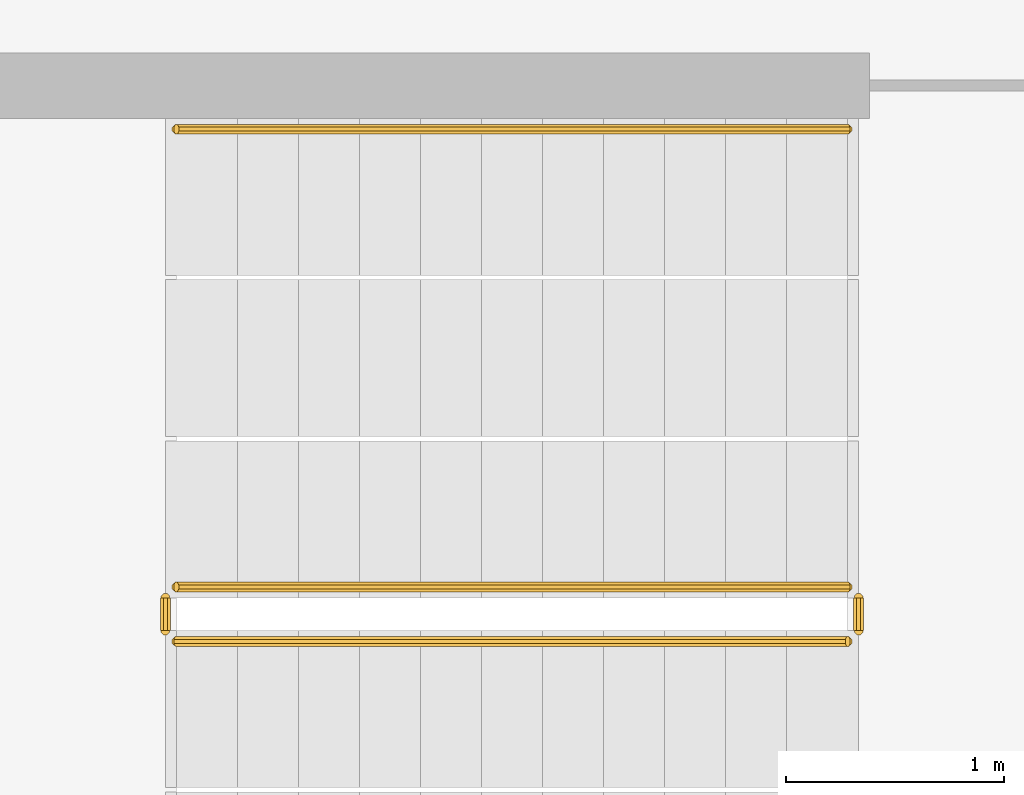
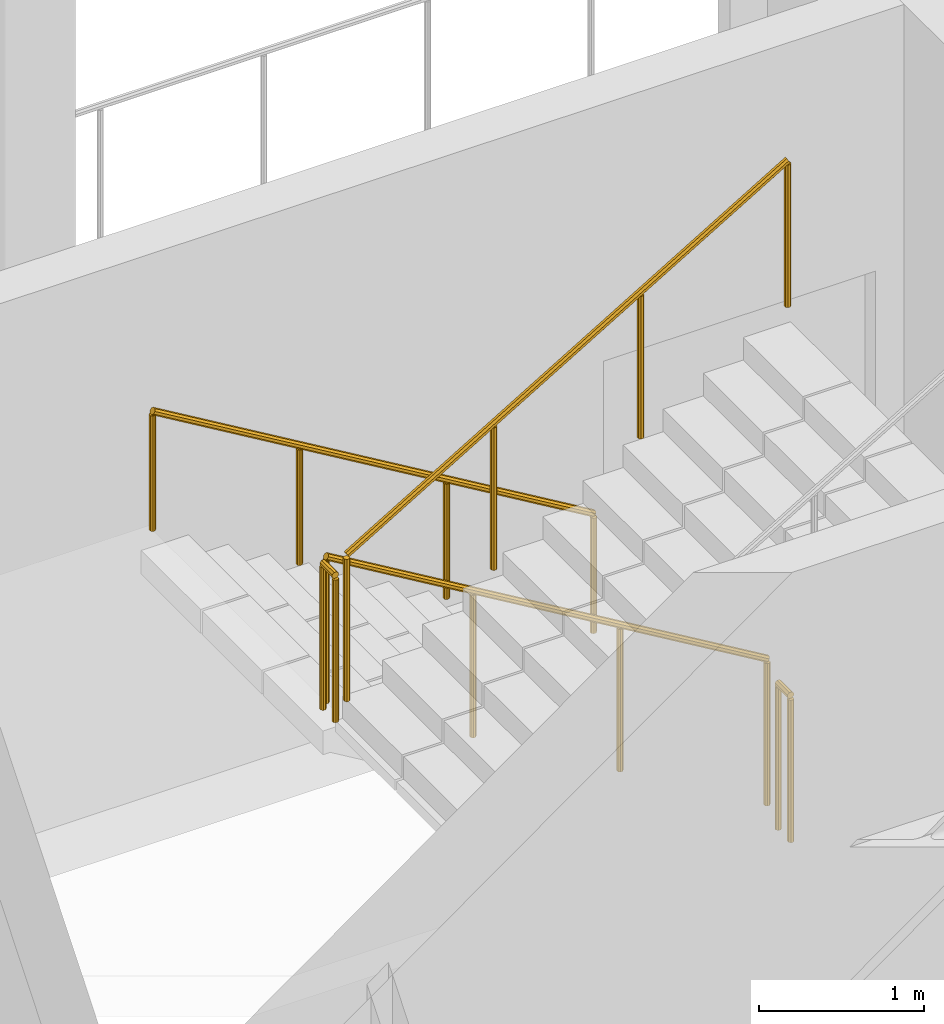
# One storey, part 20 of 28: 5 railings.
"""IFC4 building model written with IfcOpenShell, lengths in metres."""

from ifc_helpers import new_model, si_unit, direction, frame, origin, place, context, subcontext, project, spatial, polyline, outline, extrude, material, type_object, element, save


model = new_model("IFC4")

# Units and contexts
model_context = context("Model", 3, precision=1e-05, world=origin(), true_north=direction((0.0, 1.0)))
body_context = subcontext(model_context, "Body", "Model", "MODEL_VIEW")
ifc_project = project(units=[si_unit("LENGTHUNIT", "METRE"), si_unit("AREAUNIT", "SQUARE_METRE"), si_unit("VOLUMEUNIT", "CUBIC_METRE"), si_unit("PLANEANGLEUNIT", "RADIAN"), si_unit("MASSUNIT", "GRAM", prefix="KILO")], contexts=[model_context])

# Site, building, storey
site_placement = place(None, origin())
site = spatial("IfcSite", under=ifc_project, at=site_placement, CompositionType="ELEMENT")
building_placement = place(site_placement, origin())
building = spatial("IfcBuilding", under=site, at=building_placement, Name="Cormorant Relay Tower", CompositionType="ELEMENT")
storey_placement = place(building_placement, frame((0.0, 0.0, 170.199951171875)))
storey = spatial("IfcBuildingStorey", under=building, at=storey_placement, Name="L36", CompositionType="ELEMENT", Elevation=170.199951171875)

# Railings
ifc_material_1 = material(Name="Steel ASTM A572 Grade 50 (Fy 345 MPa)", Category="steel")
railing_type_1 = type_object("IfcRailingType", Name="Stair guard 1100", PredefinedType="GUARDRAIL", material=ifc_material_1)
railing_1_placement = place(storey_placement, frame((1.60009765625, -18.27490234375, 0.166748046875)))
element("IfcRailing", 1, at=railing_1_placement, inside=storey, type_object=railing_type_1, Name="L36 RK1 stair guard 1", PredefinedType="GUARDRAIL", context=body_context, shape_type="SweptSolid", body=[
    extrude(outline(polyline([(0.022216796875, 0.00927734375), (0.00927734375, 0.022216796875), (-0.00927734375, 0.022216796875), (-0.022216796875, 0.00927734375), (-0.022216796875, -0.00927734375), (-0.00927734375, -0.022216796875), (0.00927734375, -0.022216796875), (0.022216796875, -0.00927734375), (0.022216796875, 0.00927734375)])), frame((0.0, 0.0, 1.076171875), z_axis=(-0.859308565015, 0.0, 0.511457515432), x_axis=(0.0, -1.0, 0.0)), (0.0, 0.0, 1.0), 3.58447265625),
    extrude(outline(polyline([(0.019287109375, 0.008056640625), (0.008056640625, 0.019287109375), (-0.008056640625, 0.019287109375), (-0.019287109375, 0.008056640625), (-0.019287109375, -0.008056640625), (-0.008056640625, -0.019287109375), (0.008056640625, -0.019287109375), (0.019287109375, -0.008056640625), (0.019287109375, 0.008056640625)])), origin(), (0.0, 0.0, 1.0), 1.052001953125),
    extrude(outline(polyline([(0.019287109375, 0.008056640625), (0.008056640625, 0.019287109375), (-0.008056640625, 0.019287109375), (-0.019287109375, 0.008056640625), (-0.019287109375, -0.008056640625), (-0.008056640625, -0.019287109375), (0.008056640625, -0.019287109375), (0.019287109375, -0.008056640625), (0.019287109375, 0.008056640625)])), frame((-1.026611328125, 0.0, 0.611083984375)), (0.0, 0.0, 1.0), 1.052001953125),
    extrude(outline(polyline([(0.019287109375, 0.008056640625), (0.008056640625, 0.019287109375), (-0.008056640625, 0.019287109375), (-0.019287109375, 0.008056640625), (-0.019287109375, -0.008056640625), (-0.008056640625, -0.019287109375), (0.008056640625, -0.019287109375), (0.019287109375, -0.008056640625), (0.019287109375, 0.008056640625)])), frame((-2.053466796875, 0.0, 1.22216796875)), (0.0, 0.0, 1.0), 1.052001953125),
    extrude(outline(polyline([(0.019287109375, 0.008056640625), (0.008056640625, 0.019287109375), (-0.008056640625, 0.019287109375), (-0.019287109375, 0.008056640625), (-0.019287109375, -0.008056640625), (-0.008056640625, -0.019287109375), (0.008056640625, -0.019287109375), (0.019287109375, -0.008056640625), (0.019287109375, 0.008056640625)])), frame((-3.080078125, 0.0, 1.833251953125)), (0.0, 0.0, 1.0), 1.052001953125),
])
railing_2_placement = place(storey_placement, frame((-1.530029296875, -18.324951171875, 2.0)))
element("IfcRailing", 2, at=railing_2_placement, inside=storey, type_object=railing_type_1, Name="L36 RK1 stair guard 2", PredefinedType="GUARDRAIL", context=body_context, shape_type="SweptSolid", body=[
    extrude(outline(polyline([(0.022216796875, 0.00927734375), (0.00927734375, 0.022216796875), (-0.00927734375, 0.022216796875), (-0.022216796875, 0.00927734375), (-0.022216796875, -0.00927734375), (-0.00927734375, -0.022216796875), (0.00927734375, -0.022216796875), (0.022216796875, -0.00927734375), (0.022216796875, 0.00927734375)])), frame((0.0, 0.0, 1.076171875), z_axis=(0.0, -1.0, 0.0), x_axis=(1.0, 0.0, 0.0)), (0.0, 0.0, 1.0), 0.150146484375),
    extrude(outline(polyline([(0.019287109375, 0.008056640625), (0.008056640625, 0.019287109375), (-0.008056640625, 0.019287109375), (-0.019287109375, 0.008056640625), (-0.019287109375, -0.008056640625), (-0.008056640625, -0.019287109375), (0.008056640625, -0.019287109375), (0.019287109375, -0.008056640625), (0.019287109375, 0.008056640625)])), origin(), (0.0, 0.0, 1.0), 1.052001953125),
    extrude(outline(polyline([(0.019287109375, 0.008056640625), (0.008056640625, 0.019287109375), (-0.008056640625, 0.019287109375), (-0.019287109375, 0.008056640625), (-0.019287109375, -0.008056640625), (-0.008056640625, -0.019287109375), (0.008056640625, -0.019287109375), (0.019287109375, -0.008056640625), (0.019287109375, 0.008056640625)])), frame((0.0, -0.150146484375, 0.0)), (0.0, 0.0, 1.0), 1.052001953125),
])
railing_3_placement = place(storey_placement, frame((-1.47998046875, -18.52490234375, 2.166748046875)))
element("IfcRailing", 3, at=railing_3_placement, inside=storey, type_object=railing_type_1, Name="L36 RK1 stair guard 3", PredefinedType="GUARDRAIL", context=body_context, shape_type="SweptSolid", body=[
    extrude(outline(polyline([(0.022216796875, 0.00927734375), (0.00927734375, 0.022216796875), (-0.00927734375, 0.022216796875), (-0.022216796875, 0.00927734375), (-0.022216796875, -0.00927734375), (-0.00927734375, -0.022216796875), (0.00927734375, -0.022216796875), (0.022216796875, -0.00927734375), (0.022216796875, 0.00927734375)])), frame((0.0, 0.0, 1.076171875), z_axis=(0.859308565015, 0.0, 0.511457515432), x_axis=(0.0, 1.0, 0.0)), (0.0, 0.0, 1.0), 3.58447265625),
    extrude(outline(polyline([(0.019287109375, 0.008056640625), (0.008056640625, 0.019287109375), (-0.008056640625, 0.019287109375), (-0.019287109375, 0.008056640625), (-0.019287109375, -0.008056640625), (-0.008056640625, -0.019287109375), (0.008056640625, -0.019287109375), (0.019287109375, -0.008056640625), (0.019287109375, 0.008056640625)])), origin(), (0.0, 0.0, 1.0), 1.052001953125),
    extrude(outline(polyline([(0.019287109375, 0.008056640625), (0.008056640625, 0.019287109375), (-0.008056640625, 0.019287109375), (-0.019287109375, 0.008056640625), (-0.019287109375, -0.008056640625), (-0.008056640625, -0.019287109375), (0.008056640625, -0.019287109375), (0.019287109375, -0.008056640625), (0.019287109375, 0.008056640625)])), frame((1.026611328125, 0.0, 0.611083984375)), (0.0, 0.0, 1.0), 1.052001953125),
    extrude(outline(polyline([(0.019287109375, 0.008056640625), (0.008056640625, 0.019287109375), (-0.008056640625, 0.019287109375), (-0.019287109375, 0.008056640625), (-0.019287109375, -0.008056640625), (-0.008056640625, -0.019287109375), (0.008056640625, -0.019287109375), (0.019287109375, -0.008056640625), (0.019287109375, 0.008056640625)])), frame((2.053466796875, 0.0, 1.22216796875)), (0.0, 0.0, 1.0), 1.052001953125),
    extrude(outline(polyline([(0.019287109375, 0.008056640625), (0.008056640625, 0.019287109375), (-0.008056640625, 0.019287109375), (-0.019287109375, 0.008056640625), (-0.019287109375, -0.008056640625), (-0.008056640625, -0.019287109375), (0.008056640625, -0.019287109375), (0.019287109375, -0.008056640625), (0.019287109375, 0.008056640625)])), frame((3.080078125, 0.0, 1.833251953125)), (0.0, 0.0, 1.0), 1.052001953125),
])
railing_4_placement = place(storey_placement, frame((1.64990234375, -18.324951171875, 0.0)))
element("IfcRailing", 4, at=railing_4_placement, inside=storey, type_object=railing_type_1, Name="L36 RK1 stair guard 4", PredefinedType="GUARDRAIL", context=body_context, shape_type="SweptSolid", body=[
    extrude(outline(polyline([(0.022216796875, 0.00927734375), (0.00927734375, 0.022216796875), (-0.00927734375, 0.022216796875), (-0.022216796875, 0.00927734375), (-0.022216796875, -0.00927734375), (-0.00927734375, -0.022216796875), (0.00927734375, -0.022216796875), (0.022216796875, -0.00927734375), (0.022216796875, 0.00927734375)])), frame((0.0, 0.0, 1.076171875), z_axis=(0.0, -1.0, 0.0), x_axis=(1.0, 0.0, 0.0)), (0.0, 0.0, 1.0), 0.150146484375),
    extrude(outline(polyline([(0.019287109375, 0.008056640625), (0.008056640625, 0.019287109375), (-0.008056640625, 0.019287109375), (-0.019287109375, 0.008056640625), (-0.019287109375, -0.008056640625), (-0.008056640625, -0.019287109375), (0.008056640625, -0.019287109375), (0.019287109375, -0.008056640625), (0.019287109375, 0.008056640625)])), origin(), (0.0, 0.0, 1.0), 1.052001953125),
    extrude(outline(polyline([(0.019287109375, 0.008056640625), (0.008056640625, 0.019287109375), (-0.008056640625, 0.019287109375), (-0.019287109375, 0.008056640625), (-0.019287109375, -0.008056640625), (-0.008056640625, -0.019287109375), (0.008056640625, -0.019287109375), (0.019287109375, -0.008056640625), (0.019287109375, 0.008056640625)])), frame((0.0, -0.150146484375, 0.0)), (0.0, 0.0, 1.0), 1.052001953125),
])
ifc_material_2 = material(Name="Steel ASTM A572 Grade 50 (Fy 345 MPa)", Category="steel")
railing_type_2 = type_object("IfcRailingType", Name="Stair handrail 900", PredefinedType="HANDRAIL", material=ifc_material_2)
railing_5_placement = place(storey_placement, frame((1.60009765625, -16.175048828125, 0.166748046875)))
element("IfcRailing", 5, at=railing_5_placement, inside=storey, type_object=railing_type_2, Name="L36 RK1 stair handrail 1", PredefinedType="HANDRAIL", context=body_context, shape_type="SweptSolid", body=[
    extrude(outline(polyline([(0.022216796875, 0.00927734375), (0.00927734375, 0.022216796875), (-0.00927734375, 0.022216796875), (-0.022216796875, 0.00927734375), (-0.022216796875, -0.00927734375), (-0.00927734375, -0.022216796875), (0.00927734375, -0.022216796875), (0.022216796875, -0.00927734375), (0.022216796875, 0.00927734375)])), frame((0.0, 0.0, 0.8759765625), z_axis=(-0.859308565015, 0.0, 0.511457515432), x_axis=(0.0, -1.0, 0.0)), (0.0, 0.0, 1.0), 3.58447265625),
    extrude(outline(polyline([(0.019287109375, 0.008056640625), (0.008056640625, 0.019287109375), (-0.008056640625, 0.019287109375), (-0.019287109375, 0.008056640625), (-0.019287109375, -0.008056640625), (-0.008056640625, -0.019287109375), (0.008056640625, -0.019287109375), (0.019287109375, -0.008056640625), (0.019287109375, 0.008056640625)])), origin(), (0.0, 0.0, 1.0), 0.851806640625),
    extrude(outline(polyline([(0.019287109375, 0.008056640625), (0.008056640625, 0.019287109375), (-0.008056640625, 0.019287109375), (-0.019287109375, 0.008056640625), (-0.019287109375, -0.008056640625), (-0.008056640625, -0.019287109375), (0.008056640625, -0.019287109375), (0.019287109375, -0.008056640625), (0.019287109375, 0.008056640625)])), frame((-1.026611328125, 0.0, 0.611083984375)), (0.0, 0.0, 1.0), 0.851806640625),
    extrude(outline(polyline([(0.019287109375, 0.008056640625), (0.008056640625, 0.019287109375), (-0.008056640625, 0.019287109375), (-0.019287109375, 0.008056640625), (-0.019287109375, -0.008056640625), (-0.008056640625, -0.019287109375), (0.008056640625, -0.019287109375), (0.019287109375, -0.008056640625), (0.019287109375, 0.008056640625)])), frame((-2.053466796875, 0.0, 1.22216796875)), (0.0, 0.0, 1.0), 0.851806640625),
    extrude(outline(polyline([(0.019287109375, 0.008056640625), (0.008056640625, 0.019287109375), (-0.008056640625, 0.019287109375), (-0.019287109375, 0.008056640625), (-0.019287109375, -0.008056640625), (-0.008056640625, -0.019287109375), (0.008056640625, -0.019287109375), (0.019287109375, -0.008056640625), (0.019287109375, 0.008056640625)])), frame((-3.080078125, 0.0, 1.833251953125)), (0.0, 0.0, 1.0), 0.851806640625),
])

save(model, "model.ifc")
